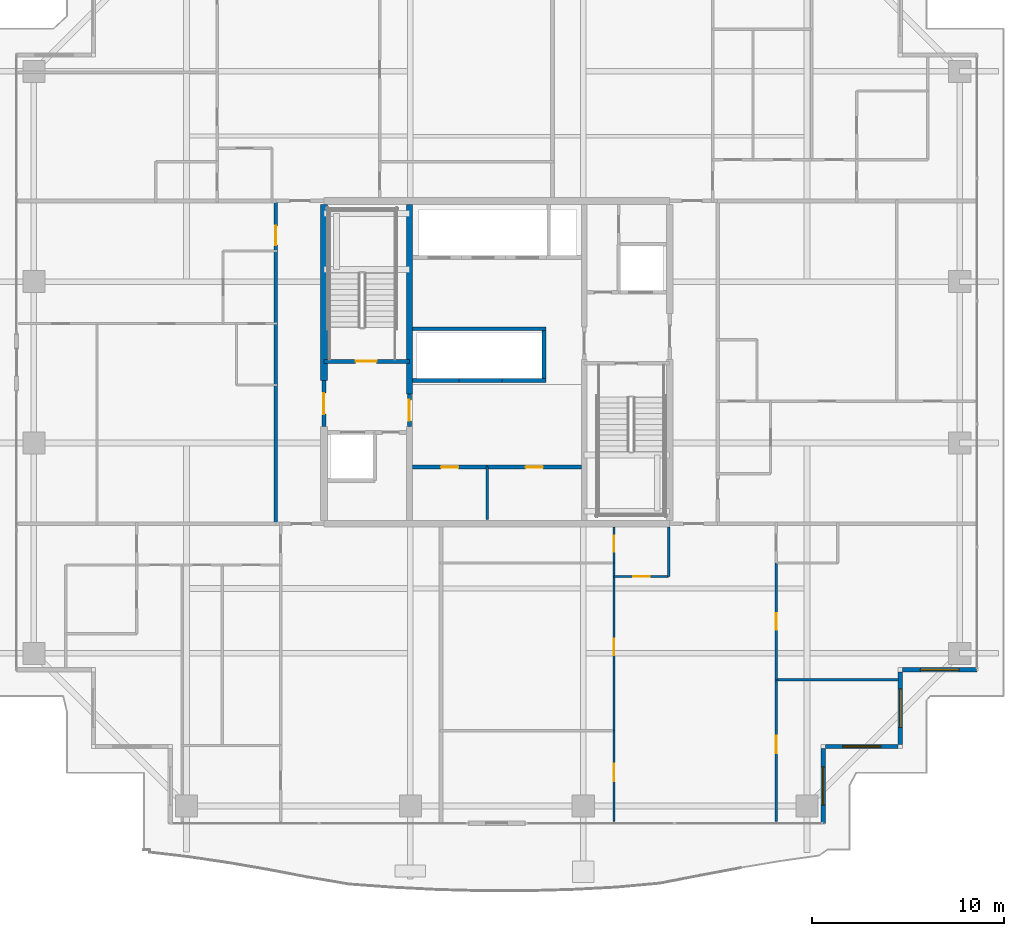
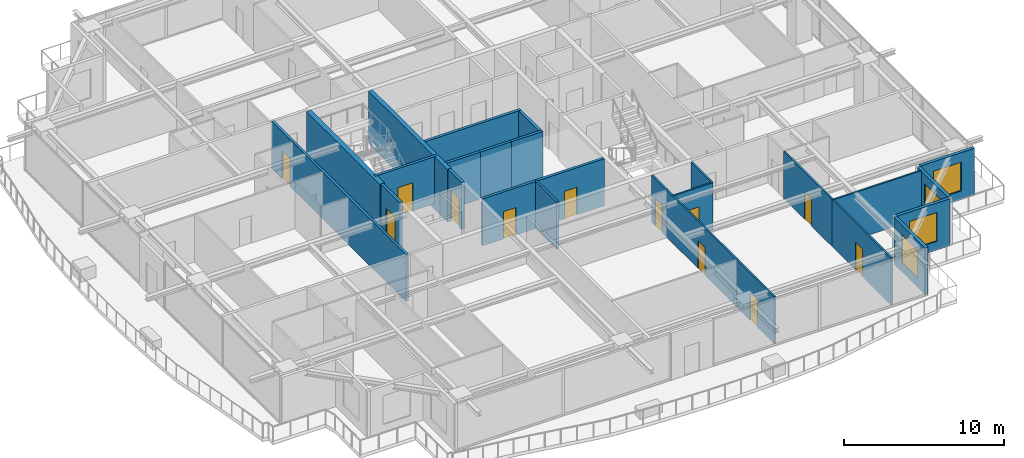
# One storey, part 25 of 35: 26 walls, 12 doors, 4 windows, 16 openings.
"""IFC4 building model written with IfcOpenShell, lengths in metres."""

from ifc_helpers import new_model, si_unit, direction, frame, frame_2d, origin, place, context, subcontext, project, spatial, rectangle, extrude, source, transform, mapped, material, layer, layer_set, type_object, element, fill, save


model = new_model("IFC4")

# Units and contexts
model_context = context("Model", 3, precision=1e-05, world=origin(), true_north=direction((0.0, 1.0)))
body_context = subcontext(model_context, "Body", "Model", "MODEL_VIEW")
ifc_project = project(units=[si_unit("LENGTHUNIT", "METRE"), si_unit("AREAUNIT", "SQUARE_METRE"), si_unit("VOLUMEUNIT", "CUBIC_METRE"), si_unit("PLANEANGLEUNIT", "RADIAN"), si_unit("MASSUNIT", "GRAM", prefix="KILO")], contexts=[model_context])

# Site, building, storey
site_placement = place(None, origin())
site = spatial("IfcSite", under=ifc_project, at=site_placement, CompositionType="ELEMENT")
building_placement = place(site_placement, origin())
building = spatial("IfcBuilding", under=site, at=building_placement, Name="Serunith Strait Residences", CompositionType="ELEMENT")
storey_placement = place(building_placement, frame((0.0, 0.0, 210.449951171875)))
storey = spatial("IfcBuildingStorey", under=building, at=storey_placement, Name="L52", CompositionType="ELEMENT", Elevation=210.449951171875)

# Wall, opening, window
ifc_material_1 = material(Name="Pale-Champagne Aluminium Insulated Panel", Category="aluminium")
ifc_layer_1 = layer(ifc_material_1, 0.219970703125, Name="Pale-Champagne Aluminium Insulated Panel")
ifc_layer_set_1 = layer_set([ifc_layer_1], Name="Pale-Champagne Aluminium Insulated Panel")
wall_type_1 = type_object("IfcWallType", Name="EW-ALUM-220", PredefinedType="ELEMENTEDWALL", material=ifc_layer_set_1)
wall_1_placement = place(storey_placement, frame((49.39990234375, 1.199951171875, 0.0), z_axis=(0.0, 0.0, 1.0), x_axis=(0.0, 1.0, 0.0)))
wall_1 = element("IfcWall", 1, at=wall_1_placement, inside=storey, type_object=wall_type_1, Name="L52 Girih Serrated Corner Wall 02", PredefinedType="ELEMENTEDWALL", context=body_context, shape_type="SweptSolid", body=[
    extrude(rectangle(XDim=3.89013671875, YDim=0.219970703125, at=frame_2d((1.945068359375, 0.0))), origin(), (0.0, 0.0, 1.0), 3.574951171875),
])
opening_1_placement = place(wall_1_placement, frame((0.945068359375, 0.0, 0.64990234375)))
opening_1 = element("IfcOpeningElement", 2, at=opening_1_placement, cuts=wall_1, Name="Opening W-04", PredefinedType="OPENING", context=body_context, shape_type="SweptSolid", body=[
    extrude(rectangle(XDim=2.0, YDim=2.199951171875, at=frame_2d((1.0, 1.10009765625))), frame((0.0, 0.1201171875, 0.0), z_axis=(0.0, -1.0, 0.0), x_axis=(1.0, 0.0, 0.0)), (0.0, 0.0, 1.0), 0.239990234375),
])
ifc_material_2 = material(Name="Ceramic-Fritted Operable Aluminium Window Glass", Category="aluminium")
window_type = type_object("IfcWindowType", Name="WIN-C4", PartitioningType="TRIPLE_PANEL_VERTICAL", PredefinedType="WINDOW", material=ifc_material_2)
shared_shape_1 = source(origin(), body_context, "Body", "SweptSolid", [
    extrude(rectangle(XDim=2.0, YDim=2.199951171875, at=frame_2d((1.0, 1.10009765625))), frame((0.0, 0.030029296875, 0.0), z_axis=(0.0, -1.0, 0.0), x_axis=(1.0, 0.0, 0.0)), (0.0, 0.0, 1.0), 0.06005859375),
])
window_1_placement = place(opening_1_placement, origin())
window_1 = element("IfcWindow", 3, at=window_1_placement, inside=storey, type_object=window_type, Name="L52 Corner Operable Fritted Window 02", OverallHeight=2.199951171875, OverallWidth=2.0, PartitioningType="SINGLE_PANEL", PredefinedType="WINDOW", context=body_context, shape_type="MappedRepresentation", body=[
    mapped(shared_shape_1, transform((0.0, 0.0, 0.0), scale=1.0)),
])
fill(opening_1, window_1)

wall_2_placement = place(storey_placement, frame((49.510009765625, 5.199951171875, 0.0), z_axis=(0.0, 0.0, 1.0), x_axis=(1.0, 0.0, 0.0)))
wall_2 = element("IfcWall", 4, at=wall_2_placement, inside=storey, type_object=wall_type_1, Name="L52 Girih Serrated Corner Wall 03", PredefinedType="ELEMENTEDWALL", context=body_context, shape_type="SweptSolid", body=[
    extrude(rectangle(XDim=3.780029296875, YDim=0.219970703125, at=frame_2d((1.89013671875, 0.0))), origin(), (0.0, 0.0, 1.0), 3.574951171875),
])
opening_2_placement = place(wall_2_placement, frame((0.889892578125, 0.0, 0.64990234375)))
opening_2 = element("IfcOpeningElement", 5, at=opening_2_placement, cuts=wall_2, Name="Opening W-04", PredefinedType="OPENING", context=body_context, shape_type="SweptSolid", body=[
    extrude(rectangle(XDim=2.0, YDim=2.199951171875, at=frame_2d((1.0, 1.10009765625))), frame((0.0, 0.1201171875, 0.0), z_axis=(0.0, -1.0, 0.0), x_axis=(1.0, 0.0, 0.0)), (0.0, 0.0, 1.0), 0.239990234375),
])
window_2_placement = place(opening_2_placement, origin())
window_2 = element("IfcWindow", 6, at=window_2_placement, inside=storey, type_object=window_type, Name="L52 Corner Operable Fritted Window 03", OverallHeight=2.199951171875, OverallWidth=2.0, PartitioningType="SINGLE_PANEL", PredefinedType="WINDOW", context=body_context, shape_type="MappedRepresentation", body=[
    mapped(shared_shape_1, transform((0.0, 0.0, 0.0), scale=1.0)),
])
fill(opening_2, window_2)

wall_3_placement = place(storey_placement, frame((53.39990234375, 5.31005859375, 0.0), z_axis=(0.0, 0.0, 1.0), x_axis=(0.0, 1.0, 0.0)))
wall_3 = element("IfcWall", 7, at=wall_3_placement, inside=storey, type_object=wall_type_1, Name="L52 Girih Serrated Corner Wall 04", PredefinedType="ELEMENTEDWALL", context=body_context, shape_type="SweptSolid", body=[
    extrude(rectangle(XDim=3.780029296875, YDim=0.219970703125, at=frame_2d((1.89013671875, 0.0))), origin(), (0.0, 0.0, 1.0), 3.574951171875),
])
opening_3_placement = place(wall_3_placement, frame((0.889892578125, 0.0, 0.64990234375)))
opening_3 = element("IfcOpeningElement", 8, at=opening_3_placement, cuts=wall_3, Name="Opening W-04", PredefinedType="OPENING", context=body_context, shape_type="SweptSolid", body=[
    extrude(rectangle(XDim=2.0, YDim=2.199951171875, at=frame_2d((1.0, 1.10009765625))), frame((0.0, 0.1201171875, 0.0), z_axis=(0.0, -1.0, 0.0), x_axis=(1.0, 0.0, 0.0)), (0.0, 0.0, 1.0), 0.239990234375),
])
window_3_placement = place(opening_3_placement, origin())
window_3 = element("IfcWindow", 9, at=window_3_placement, inside=storey, type_object=window_type, Name="L52 Corner Operable Fritted Window 04", OverallHeight=2.199951171875, OverallWidth=2.0, PartitioningType="SINGLE_PANEL", PredefinedType="WINDOW", context=body_context, shape_type="MappedRepresentation", body=[
    mapped(shared_shape_1, transform((0.0, 0.0, 0.0), scale=1.0)),
])
fill(opening_3, window_3)

wall_4_placement = place(storey_placement, frame((53.510009765625, 9.199951171875, 0.0), z_axis=(0.0, 0.0, 1.0), x_axis=(1.0, 0.0, 0.0)))
wall_4 = element("IfcWall", 10, at=wall_4_placement, inside=storey, type_object=wall_type_1, Name="L52 Girih Serrated Corner Wall 05", PredefinedType="ELEMENTEDWALL", context=body_context, shape_type="SweptSolid", body=[
    extrude(rectangle(XDim=3.889892578125, YDim=0.219970703125, at=frame_2d((1.94482421875, 0.0))), origin(), (0.0, 0.0, 1.0), 3.574951171875),
])
opening_4_placement = place(wall_4_placement, frame((0.945068359375, 0.0, 0.64990234375)))
opening_4 = element("IfcOpeningElement", 11, at=opening_4_placement, cuts=wall_4, Name="Opening W-04", PredefinedType="OPENING", context=body_context, shape_type="SweptSolid", body=[
    extrude(rectangle(XDim=2.0, YDim=2.199951171875, at=frame_2d((1.0, 1.10009765625))), frame((0.0, 0.1201171875, 0.0), z_axis=(0.0, -1.0, 0.0), x_axis=(1.0, 0.0, 0.0)), (0.0, 0.0, 1.0), 0.239990234375),
])
window_4_placement = place(opening_4_placement, origin())
window_4 = element("IfcWindow", 12, at=window_4_placement, inside=storey, type_object=window_type, Name="L52 Corner Operable Fritted Window 05", OverallHeight=2.199951171875, OverallWidth=2.0, PartitioningType="SINGLE_PANEL", PredefinedType="WINDOW", context=body_context, shape_type="MappedRepresentation", body=[
    mapped(shared_shape_1, transform((0.0, 0.0, 0.0), scale=1.0)),
])
fill(opening_4, window_4)

# Wall
ifc_material_3 = material(Name="Fire-rated masonry service closet wall", Category="masonry")
ifc_layer_2 = layer(ifc_material_3, 0.14990234375, Name="Fire-rated masonry service closet wall")
ifc_layer_set_2 = layer_set([ifc_layer_2], Name="Fire-rated masonry service closet wall")
wall_type_2 = type_object("IfcWallType", Name="IW-BOH-150", PredefinedType="PARTITIONING", material=ifc_layer_set_2)
wall_5_placement = place(storey_placement, frame((31.89990234375, 17.02001953125, 0.0), z_axis=(0.0, 0.0, 1.0), x_axis=(0.0, 1.0, 0.0)))
element("IfcWall", 13, at=wall_5_placement, inside=storey, type_object=wall_type_2, Name="L52 Partition Wall 015", PredefinedType="PARTITIONING", context=body_context, shape_type="SweptSolid", body=[
    extrude(rectangle(XDim=2.72998046875, YDim=0.14990234375, at=frame_2d((1.364990234375, 0.0))), origin(), (0.0, 0.0, 1.0), 3.590087890625),
])

# Wall, opening, door
ifc_material_4 = material(Name="Fire-rated acoustic gypsum partition")
ifc_layer_3 = layer(ifc_material_4, 0.179931640625, Name="Fire-rated acoustic gypsum partition")
ifc_layer_set_3 = layer_set([ifc_layer_3], Name="Fire-rated acoustic gypsum partition")
wall_type_3 = type_object("IfcWallType", Name="IW-CORR-180", PredefinedType="PARTITIONING", material=ifc_layer_set_3)
wall_6_placement = place(storey_placement, frame((20.89990234375, 16.800048828125, 0.0), z_axis=(0.0, 0.0, 1.0), x_axis=(0.0, 1.0, 0.0)))
wall_6 = element("IfcWall", 14, at=wall_6_placement, inside=storey, type_object=wall_type_3, Name="L52 Partition Wall 024", PredefinedType="PARTITIONING", context=body_context, shape_type="SweptSolid", body=[
    extrude(rectangle(XDim=16.800048828125, YDim=0.179931640625, at=frame_2d((8.39990234375, 0.0))), origin(), (0.0, 0.0, 1.0), 3.590087890625),
])
opening_5_placement = place(wall_6_placement, frame((14.5, 0.0, 0.0)))
opening_5 = element("IfcOpeningElement", 15, at=opening_5_placement, cuts=wall_6, Name="Opening D-APT1000", PredefinedType="OPENING", context=body_context, shape_type="SweptSolid", body=[
    extrude(rectangle(XDim=1.0, YDim=2.14990234375, at=frame_2d((0.5, 1.074951171875))), frame((0.0, 0.10009765625, 0.0), z_axis=(0.0, -1.0, 0.0), x_axis=(1.0, 0.0, 0.0)), (0.0, 0.0, 1.0), 0.199951171875),
])
ifc_material_5 = material(Name="Solid timber engineered fire door", Category="wood")
door_type_1 = type_object("IfcDoorType", Name="ID-APT-1000", OperationType="NOTDEFINED", PredefinedType="DOOR", material=ifc_material_5)
shared_shape_2 = source(origin(), body_context, "Body", "SweptSolid", [
    extrude(rectangle(XDim=1.0, YDim=2.14990234375, at=frame_2d((0.5, 1.074951171875))), frame((0.0, 0.02490234375, 0.0), z_axis=(0.0, -1.0, 0.0), x_axis=(1.0, 0.0, 0.0)), (0.0, 0.0, 1.0), 0.050048828125),
])
door_1_placement = place(opening_5_placement, origin())
door_1 = element("IfcDoor", 16, at=door_1_placement, inside=storey, type_object=door_type_1, Name="L52 Unit 05 Entrance Door", OperationType="SINGLE_SWING_LEFT", OverallHeight=2.14990234375, OverallWidth=1.0, PredefinedType="DOOR", context=body_context, shape_type="MappedRepresentation", body=[
    mapped(shared_shape_2, transform((0.0, 0.0, 0.0), scale=1.0)),
])
fill(opening_5, door_1)

ifc_material_6 = material(Name="Lightweight steel-stud gypsum partition", Category="steel")
ifc_layer_4 = layer(ifc_material_6, 0.1201171875, Name="Lightweight steel-stud gypsum partition")
ifc_layer_set_4 = layer_set([ifc_layer_4], Name="Lightweight steel-stud gypsum partition")
wall_type_4 = type_object("IfcWallType", Name="IW-PART-120", PredefinedType="PARTITIONING", material=ifc_layer_set_4)
wall_7_placement = place(storey_placement, frame((38.5, 14.050048828125, 0.0), z_axis=(0.0, 0.0, 1.0), x_axis=(1.0, 0.0, 0.0)))
wall_7 = element("IfcWall", 17, at=wall_7_placement, inside=storey, type_object=wall_type_4, Name="L52 Partition Wall 042", PredefinedType="PARTITIONING", context=body_context, shape_type="SweptSolid", body=[
    extrude(rectangle(XDim=2.85009765625, YDim=0.1201171875, at=frame_2d((1.425048828125, 0.0))), origin(), (0.0, 0.0, 1.0), 3.590087890625),
])
opening_6_placement = place(wall_7_placement, frame((1.0, 0.0, 0.0)))
opening_6 = element("IfcOpeningElement", 18, at=opening_6_placement, cuts=wall_7, Name="Opening D-RM850", PredefinedType="OPENING", context=body_context, shape_type="SweptSolid", body=[
    extrude(rectangle(XDim=0.85009765625, YDim=2.10009765625, at=frame_2d((0.425048828125, 1.050048828125))), frame((0.0, 0.070068359375, 0.0), z_axis=(0.0, -1.0, 0.0), x_axis=(1.0, 0.0, 0.0)), (0.0, 0.0, 1.0), 0.14013671875),
])
ifc_material_7 = material(Name="Engineered timber flush study and kitchen door", Category="wood")
door_type_2 = type_object("IfcDoorType", Name="ID-ROOM-850", OperationType="NOTDEFINED", PredefinedType="DOOR", material=ifc_material_7)
shared_shape_3 = source(origin(), body_context, "Body", "SweptSolid", [
    extrude(rectangle(XDim=0.85009765625, YDim=2.10009765625, at=frame_2d((0.425048828125, 1.050048828125))), frame((0.0, 0.02490234375, 0.0), z_axis=(0.0, -1.0, 0.0), x_axis=(1.0, 0.0, 0.0)), (0.0, 0.0, 1.0), 0.050048828125),
])
door_2_placement = place(opening_6_placement, origin())
door_2 = element("IfcDoor", 19, at=door_2_placement, inside=storey, type_object=door_type_2, Name="L52 Kitchen 5202 Door", OperationType="SINGLE_SWING_RIGHT", OverallHeight=2.10009765625, OverallWidth=0.85009765625, PredefinedType="DOOR", context=body_context, shape_type="MappedRepresentation", body=[
    mapped(shared_shape_3, transform((0.0, 0.0, 0.0), scale=1.0)),
])
fill(opening_6, door_2)

# Wall
wall_8_placement = place(storey_placement, frame((41.35009765625, 14.050048828125, 0.0), z_axis=(0.0, 0.0, 1.0), x_axis=(0.0, 1.0, 0.0)))
element("IfcWall", 20, at=wall_8_placement, inside=storey, type_object=wall_type_4, Name="L52 Partition Wall 043", PredefinedType="PARTITIONING", context=body_context, shape_type="SweptSolid", body=[
    extrude(rectangle(XDim=2.574951171875, YDim=0.1201171875, at=frame_2d((1.28759765625, 0.0))), origin(), (0.0, 0.0, 1.0), 3.590087890625),
])

# Wall, opening, door
wall_9_placement = place(storey_placement, frame((38.5, 1.294921875, 0.0), z_axis=(0.0, 0.0, 1.0), x_axis=(0.0, 1.0, 0.0)))
wall_9 = element("IfcWall", 21, at=wall_9_placement, inside=storey, type_object=wall_type_4, Name="L52 Partition Wall 044", PredefinedType="PARTITIONING", context=body_context, shape_type="SweptSolid", body=[
    extrude(rectangle(XDim=4.72705078125, YDim=0.1201171875, at=frame_2d((2.363525390625, 0.0))), origin(), (0.0, 0.0, 1.0), 3.590087890625),
])
opening_7_placement = place(wall_9_placement, frame((2.10498046875, 0.0, 0.0)))
opening_7 = element("IfcOpeningElement", 22, at=opening_7_placement, cuts=wall_9, Name="Opening D-RM900", PredefinedType="OPENING", context=body_context, shape_type="SweptSolid", body=[
    extrude(rectangle(XDim=0.89990234375, YDim=2.10009765625, at=frame_2d((0.449951171875, 1.050048828125))), frame((0.0, 0.070068359375, 0.0), z_axis=(0.0, -1.0, 0.0), x_axis=(1.0, 0.0, 0.0)), (0.0, 0.0, 1.0), 0.14013671875),
])
ifc_material_8 = material(Name="Engineered timber flush bedroom door", Category="wood")
door_type_3 = type_object("IfcDoorType", Name="ID-ROOM-900", OperationType="NOTDEFINED", PredefinedType="DOOR", material=ifc_material_8)
shared_shape_4 = source(origin(), body_context, "Body", "SweptSolid", [
    extrude(rectangle(XDim=0.89990234375, YDim=2.10009765625, at=frame_2d((0.449951171875, 1.050048828125))), frame((0.0, 0.02490234375, 0.0), z_axis=(0.0, -1.0, 0.0), x_axis=(1.0, 0.0, 0.0)), (0.0, 0.0, 1.0), 0.050048828125),
])
door_3_placement = place(opening_7_placement, origin())
door_3 = element("IfcDoor", 23, at=door_3_placement, inside=storey, type_object=door_type_3, Name="L52 Master Bedroom 1 5202 Door", OperationType="SINGLE_SWING_LEFT", OverallHeight=2.10009765625, OverallWidth=0.89990234375, PredefinedType="DOOR", context=body_context, shape_type="MappedRepresentation", body=[
    mapped(shared_shape_4, transform((0.0, 0.0, 0.0), scale=1.0)),
])
fill(opening_7, door_3)

wall_10_placement = place(storey_placement, frame((38.5, 6.02392578125, 0.0), z_axis=(0.0, 0.0, 1.0), x_axis=(0.0, 1.0, 0.0)))
wall_10 = element("IfcWall", 24, at=wall_10_placement, inside=storey, type_object=wall_type_4, Name="L52 Partition Wall 047", PredefinedType="PARTITIONING", context=body_context, shape_type="SweptSolid", body=[
    extrude(rectangle(XDim=8.72607421875, YDim=0.1201171875, at=frame_2d((4.363037109375, 0.0))), origin(), (0.0, 0.0, 1.0), 3.590087890625),
])
opening_8_placement = place(wall_10_placement, frame((3.93798828125, 0.0, 0.0)))
opening_8 = element("IfcOpeningElement", 25, at=opening_8_placement, cuts=wall_10, Name="Opening D-RM850", PredefinedType="OPENING", context=body_context, shape_type="SweptSolid", body=[
    extrude(rectangle(XDim=0.85009765625, YDim=2.10009765625, at=frame_2d((0.425048828125, 1.050048828125))), frame((0.0, 0.070068359375, 0.0), z_axis=(0.0, -1.0, 0.0), x_axis=(1.0, 0.0, 0.0)), (0.0, 0.0, 1.0), 0.14013671875),
])
door_4_placement = place(opening_8_placement, origin())
door_4 = element("IfcDoor", 26, at=door_4_placement, inside=storey, type_object=door_type_2, Name="L52 Walk-in Wardrobe 5202 Door", OperationType="SINGLE_SWING_RIGHT", OverallHeight=2.10009765625, OverallWidth=0.85009765625, PredefinedType="DOOR", context=body_context, shape_type="MappedRepresentation", body=[
    mapped(shared_shape_3, transform((0.0, 0.0, 0.0), scale=1.0)),
])
fill(opening_8, door_4)

wall_11_placement = place(storey_placement, frame((38.5, 14.751953125, 0.0), z_axis=(0.0, 0.0, 1.0), x_axis=(0.0, 1.0, 0.0)))
wall_11 = element("IfcWall", 27, at=wall_11_placement, inside=storey, type_object=wall_type_4, Name="L52 Partition Wall 048", PredefinedType="PARTITIONING", context=body_context, shape_type="SweptSolid", body=[
    extrude(rectangle(XDim=1.873046875, YDim=0.1201171875, at=frame_2d((0.9365234375, 0.0))), origin(), (0.0, 0.0, 1.0), 3.590087890625),
])
opening_9_placement = place(wall_11_placement, frame((0.574951171875, 0.0, 0.0)))
opening_9 = element("IfcOpeningElement", 28, at=opening_9_placement, cuts=wall_11, Name="Opening D-BTH850", PredefinedType="OPENING", context=body_context, shape_type="SweptSolid", body=[
    extrude(rectangle(XDim=0.85009765625, YDim=2.10009765625, at=frame_2d((0.425048828125, 1.050048828125))), frame((0.0, 0.070068359375, 0.0), z_axis=(0.0, -1.0, 0.0), x_axis=(1.0, 0.0, 0.0)), (0.0, 0.0, 1.0), 0.14013671875),
])
ifc_material_9 = material(Name="Moisture-resistant timber bathroom door", Category="wood")
door_type_4 = type_object("IfcDoorType", Name="ID-BATH-850", OperationType="NOTDEFINED", PredefinedType="DOOR", material=ifc_material_9)
door_5_placement = place(opening_9_placement, origin())
door_5 = element("IfcDoor", 29, at=door_5_placement, inside=storey, type_object=door_type_4, Name="L52 Bathroom 5202 Door", OperationType="SINGLE_SWING_LEFT", OverallHeight=2.10009765625, OverallWidth=0.85009765625, PredefinedType="DOOR", context=body_context, shape_type="MappedRepresentation", body=[
    mapped(shared_shape_3, transform((0.0, 0.0, 0.0), scale=1.0)),
])
fill(opening_9, door_5)

wall_12_placement = place(storey_placement, frame((46.949951171875, 1.294921875, 0.0), z_axis=(0.0, 0.0, 1.0), x_axis=(0.0, 1.0, 0.0)))
wall_12 = element("IfcWall", 30, at=wall_12_placement, inside=storey, type_object=wall_type_4, Name="L52 Partition Wall 049", PredefinedType="PARTITIONING", context=body_context, shape_type="SweptSolid", body=[
    extrude(rectangle(XDim=7.373046875, YDim=0.1201171875, at=frame_2d((3.6865234375, 0.0))), origin(), (0.0, 0.0, 1.0), 3.590087890625),
])
opening_10_placement = place(wall_12_placement, frame((3.56005859375, 0.0, 0.0)))
opening_10 = element("IfcOpeningElement", 31, at=opening_10_placement, cuts=wall_12, Name="Opening D-RM900", PredefinedType="OPENING", context=body_context, shape_type="SweptSolid", body=[
    extrude(rectangle(XDim=0.89990234375, YDim=2.10009765625, at=frame_2d((0.449951171875, 1.050048828125))), frame((0.0, 0.070068359375, 0.0), z_axis=(0.0, -1.0, 0.0), x_axis=(1.0, 0.0, 0.0)), (0.0, 0.0, 1.0), 0.14013671875),
])
door_6_placement = place(opening_10_placement, origin())
door_6 = element("IfcDoor", 32, at=door_6_placement, inside=storey, type_object=door_type_3, Name="L52 Bedroom 2 5202 Door", OperationType="SINGLE_SWING_RIGHT", OverallHeight=2.10009765625, OverallWidth=0.89990234375, PredefinedType="DOOR", context=body_context, shape_type="MappedRepresentation", body=[
    mapped(shared_shape_4, transform((0.0, 0.0, 0.0), scale=1.0)),
])
fill(opening_10, door_6)

# Wall
wall_13_placement = place(storey_placement, frame((46.949951171875, 8.66796875, 0.0), z_axis=(0.0, 0.0, 1.0), x_axis=(1.0, 0.0, 0.0)))
element("IfcWall", 33, at=wall_13_placement, inside=storey, type_object=wall_type_4, Name="L52 Partition Wall 050", PredefinedType="PARTITIONING", context=body_context, shape_type="SweptSolid", body=[
    extrude(rectangle(XDim=6.35498046875, YDim=0.1201171875, at=frame_2d((3.177490234375, 0.0))), origin(), (0.0, 0.0, 1.0), 3.590087890625),
])

# Wall, opening, door
wall_14_placement = place(storey_placement, frame((46.949951171875, 8.669921875, 0.0), z_axis=(0.0, 0.0, 1.0), x_axis=(0.0, 1.0, 0.0)))
wall_14 = element("IfcWall", 34, at=wall_14_placement, inside=storey, type_object=wall_type_4, Name="L52 Partition Wall 053", PredefinedType="PARTITIONING", context=body_context, shape_type="SweptSolid", body=[
    extrude(rectangle(XDim=6.080078125, YDim=0.1201171875, at=frame_2d((3.0400390625, 0.0))), origin(), (0.0, 0.0, 1.0), 3.590087890625),
])
opening_11_placement = place(wall_14_placement, frame((2.614990234375, 0.0, 0.0)))
opening_11 = element("IfcOpeningElement", 35, at=opening_11_placement, cuts=wall_14, Name="Opening D-RM850", PredefinedType="OPENING", context=body_context, shape_type="SweptSolid", body=[
    extrude(rectangle(XDim=0.85009765625, YDim=2.10009765625, at=frame_2d((0.425048828125, 1.050048828125))), frame((0.0, 0.070068359375, 0.0), z_axis=(0.0, -1.0, 0.0), x_axis=(1.0, 0.0, 0.0)), (0.0, 0.0, 1.0), 0.14013671875),
])
door_7_placement = place(opening_11_placement, origin())
door_7 = element("IfcDoor", 36, at=door_7_placement, inside=storey, type_object=door_type_2, Name="L52 Walk-in Wardrobe 5202 Door", OperationType="SINGLE_SWING_LEFT", OverallHeight=2.10009765625, OverallWidth=0.85009765625, PredefinedType="DOOR", context=body_context, shape_type="MappedRepresentation", body=[
    mapped(shared_shape_3, transform((0.0, 0.0, 0.0), scale=1.0)),
])
fill(opening_11, door_7)

ifc_material_10 = material(Name="Autoclaved aerated concrete blockwork", Category="masonry")
ifc_layer_5 = layer(ifc_material_10, 0.199951171875, Name="Autoclaved aerated concrete blockwork")
ifc_layer_set_5 = layer_set([ifc_layer_5], Name="Autoclaved aerated concrete blockwork")
wall_type_5 = type_object("IfcWallType", Name="IW-SHAFT-200", PredefinedType="STANDARD", material=ifc_layer_set_5)
wall_15_placement = place(storey_placement, frame((23.39990234375, 25.25, 0.0), z_axis=(0.0, 0.0, 1.0), x_axis=(1.0, 0.0, 0.0)))
wall_15 = element("IfcWall", 37, at=wall_15_placement, inside=storey, type_object=wall_type_5, Name="L52 ST-1 South Shaft Wall", PredefinedType="STANDARD", context=body_context, shape_type="SweptSolid", body=[
    extrude(rectangle(XDim=4.4501953125, YDim=0.199951171875, at=frame_2d((2.22509765625, 0.0))), origin(), (0.0, 0.0, 1.0), 3.590087890625),
])
opening_12_placement = place(wall_15_placement, frame((1.64990234375, 0.0, 0.0)))
opening_12 = element("IfcOpeningElement", 38, at=opening_12_placement, cuts=wall_15, Name="Opening FD-1100", PredefinedType="OPENING", context=body_context, shape_type="SweptSolid", body=[
    extrude(rectangle(XDim=1.10009765625, YDim=2.14990234375, at=frame_2d((0.550048828125, 1.074951171875))), frame((0.0, 0.10986328125, 0.0), z_axis=(0.0, -1.0, 0.0), x_axis=(1.0, 0.0, 0.0)), (0.0, 0.0, 1.0), 0.219970703125),
])
ifc_material_11 = material(Name="Galvanised steel fire door leaf", Category="steel")
door_type_5 = type_object("IfcDoorType", Name="FD-STAIR-1100", OperationType="NOTDEFINED", PredefinedType="DOOR", material=ifc_material_11)
shared_shape_5 = source(origin(), body_context, "Body", "SweptSolid", [
    extrude(rectangle(XDim=1.10009765625, YDim=2.14990234375, at=frame_2d((0.550048828125, 1.074951171875))), frame((0.0, 0.02490234375, 0.0), z_axis=(0.0, -1.0, 0.0), x_axis=(1.0, 0.0, 0.0)), (0.0, 0.0, 1.0), 0.050048828125),
])
door_8_placement = place(opening_12_placement, origin())
door_8 = element("IfcDoor", 39, at=door_8_placement, inside=storey, type_object=door_type_5, Name="L52 ST-1 Escape Stair Door", OperationType="SINGLE_SWING_RIGHT", OverallHeight=2.14990234375, OverallWidth=1.10009765625, PredefinedType="DOOR", context=body_context, shape_type="MappedRepresentation", body=[
    mapped(shared_shape_5, transform((0.0, 0.0, 0.0), scale=1.0)),
])
fill(opening_12, door_8)

# Walls
wall_16_placement = place(storey_placement, frame((28.0, 24.25, 0.0), z_axis=(0.0, 0.0, 1.0), x_axis=(1.0, 0.0, 0.0)))
element("IfcWall", 40, at=wall_16_placement, inside=storey, type_object=wall_type_5, Name="L52 PL-4 South Shaft Wall", PredefinedType="STANDARD", context=body_context, shape_type="SweptSolid", body=[
    extrude(rectangle(XDim=2.425048828125, YDim=0.199951171875, at=frame_2d((1.21240234375, 0.0))), origin(), (0.0, 0.0, 1.0), 3.590087890625),
])
wall_17_placement = place(storey_placement, frame((30.425048828125, 24.25, 0.0), z_axis=(0.0, 0.0, 1.0), x_axis=(1.0, 0.0, 0.0)))
element("IfcWall", 41, at=wall_17_placement, inside=storey, type_object=wall_type_5, Name="L52 PL-5 South Shaft Wall", PredefinedType="STANDARD", context=body_context, shape_type="SweptSolid", body=[
    extrude(rectangle(XDim=2.25, YDim=0.199951171875, at=frame_2d((1.125, 0.0))), origin(), (0.0, 0.0, 1.0), 3.590087890625),
])
wall_18_placement = place(storey_placement, frame((32.675048828125, 24.25, 0.0), z_axis=(0.0, 0.0, 1.0), x_axis=(1.0, 0.0, 0.0)))
element("IfcWall", 42, at=wall_18_placement, inside=storey, type_object=wall_type_5, Name="L52 PL-6 South Shaft Wall", PredefinedType="STANDARD", context=body_context, shape_type="SweptSolid", body=[
    extrude(rectangle(XDim=2.27490234375, YDim=0.199951171875, at=frame_2d((1.137451171875, 0.0))), origin(), (0.0, 0.0, 1.0), 3.590087890625),
])
wall_19_placement = place(storey_placement, frame((34.85009765625, 24.35009765625, 0.0), z_axis=(0.0, 0.0, 1.0), x_axis=(0.0, 1.0, 0.0)))
element("IfcWall", 43, at=wall_19_placement, inside=storey, type_object=wall_type_5, Name="L52 PL-6 East Shaft Wall", PredefinedType="STANDARD", context=body_context, shape_type="SweptSolid", body=[
    extrude(rectangle(XDim=2.5, YDim=0.199951171875, at=frame_2d((1.25, 0.0))), origin(), (0.0, 0.0, 1.0), 3.590087890625),
])

# Wall, opening, door
wall_20_placement = place(storey_placement, frame((23.39990234375, 21.85205078125, 0.0), z_axis=(0.0, 0.0, 1.0), x_axis=(0.0, 1.0, 0.0)))
wall_20 = element("IfcWall", 44, at=wall_20_placement, inside=storey, type_object=wall_type_5, Name="L52 Partition Wall 007", PredefinedType="STANDARD", context=body_context, shape_type="SweptSolid", body=[
    extrude(rectangle(XDim=2.39599609375, YDim=0.199951171875, at=frame_2d((1.197998046875, 0.0))), origin(), (0.0, 0.0, 1.0), 3.590087890625),
])
opening_13_placement = place(wall_20_placement, frame((0.64794921875, 0.0, 0.0)))
opening_13 = element("IfcOpeningElement", 45, at=opening_13_placement, cuts=wall_20, Name="Opening FD-FFL", PredefinedType="OPENING", context=body_context, shape_type="SweptSolid", body=[
    extrude(rectangle(XDim=1.10009765625, YDim=2.14990234375, at=frame_2d((0.550048828125, 1.074951171875))), frame((0.0, 0.10986328125, 0.0), z_axis=(0.0, -1.0, 0.0), x_axis=(1.0, 0.0, 0.0)), (0.0, 0.0, 1.0), 0.219970703125),
])
ifc_material_12 = material(Name="Glazed steel smoke-lobby fire door", Category="steel")
door_type_6 = type_object("IfcDoorType", Name="FD-FFL-1100", OperationType="NOTDEFINED", PredefinedType="DOOR", material=ifc_material_12)
door_9_placement = place(opening_13_placement, origin())
door_9 = element("IfcDoor", 46, at=door_9_placement, inside=storey, type_object=door_type_6, Name="L52 FFL-1 Corridor Fire Door", OperationType="SINGLE_SWING_RIGHT", OverallHeight=2.14990234375, OverallWidth=1.10009765625, PredefinedType="DOOR", context=body_context, shape_type="MappedRepresentation", body=[
    mapped(shared_shape_5, transform((0.0, 0.0, 0.0), scale=1.0)),
])
fill(opening_13, door_9)

wall_21_placement = place(storey_placement, frame((27.85009765625, 21.85205078125, 0.0), z_axis=(0.0, 0.0, 1.0), x_axis=(0.0, 1.0, 0.0)))
wall_21 = element("IfcWall", 47, at=wall_21_placement, inside=storey, type_object=wall_type_5, Name="L52 Partition Wall 009", PredefinedType="STANDARD", context=body_context, shape_type="SweptSolid", body=[
    extrude(rectangle(XDim=1.696044921875, YDim=0.199951171875, at=frame_2d((0.84814453125, 0.0))), origin(), (0.0, 0.0, 1.0), 3.590087890625),
])
opening_14_placement = place(wall_21_placement, frame((0.298095703125, 0.0, 0.0)))
opening_14 = element("IfcOpeningElement", 48, at=opening_14_placement, cuts=wall_21, Name="Opening FD-FFL", PredefinedType="OPENING", context=body_context, shape_type="SweptSolid", body=[
    extrude(rectangle(XDim=1.10009765625, YDim=2.14990234375, at=frame_2d((0.550048828125, 1.074951171875))), frame((0.0, 0.10986328125, 0.0), z_axis=(0.0, -1.0, 0.0), x_axis=(1.0, 0.0, 0.0)), (0.0, 0.0, 1.0), 0.219970703125),
])
door_10_placement = place(opening_14_placement, origin())
door_10 = element("IfcDoor", 49, at=door_10_placement, inside=storey, type_object=door_type_6, Name="L52 FFL-1 Lift Lobby Door", OperationType="SINGLE_SWING_RIGHT", OverallHeight=2.14990234375, OverallWidth=1.10009765625, PredefinedType="DOOR", context=body_context, shape_type="MappedRepresentation", body=[
    mapped(shared_shape_5, transform((0.0, 0.0, 0.0), scale=1.0)),
])
fill(opening_14, door_10)

# Wall
wall_22_placement = place(storey_placement, frame((28.0, 26.949951171875, 0.0), z_axis=(0.0, 0.0, 1.0), x_axis=(1.0, 0.0, 0.0)))
element("IfcWall", 50, at=wall_22_placement, inside=storey, type_object=wall_type_5, Name="L52 Partition Wall 011", PredefinedType="STANDARD", context=body_context, shape_type="SweptSolid", body=[
    extrude(rectangle(XDim=6.949951171875, YDim=0.199951171875, at=frame_2d((3.47509765625, 0.0))), origin(), (0.0, 0.0, 1.0), 3.590087890625),
])

# Wall, opening, door
wall_23_placement = place(storey_placement, frame((28.0, 19.75, 0.0), z_axis=(0.0, 0.0, 1.0), x_axis=(1.0, 0.0, 0.0)))
wall_23 = element("IfcWall", 51, at=wall_23_placement, inside=storey, type_object=wall_type_5, Name="L52 Partition Wall 013", PredefinedType="STANDARD", context=body_context, shape_type="SweptSolid", body=[
    extrude(rectangle(XDim=3.89990234375, YDim=0.199951171875, at=frame_2d((1.949951171875, 0.0))), origin(), (0.0, 0.0, 1.0), 3.590087890625),
])
opening_15_placement = place(wall_23_placement, frame((1.5, 0.0, 0.0)))
opening_15 = element("IfcOpeningElement", 52, at=opening_15_placement, cuts=wall_23, Name="Opening FD-900", PredefinedType="OPENING", context=body_context, shape_type="SweptSolid", body=[
    extrude(rectangle(XDim=0.89990234375, YDim=2.10009765625, at=frame_2d((0.449951171875, 1.050048828125))), frame((0.0, 0.10986328125, 0.0), z_axis=(0.0, -1.0, 0.0), x_axis=(1.0, 0.0, 0.0)), (0.0, 0.0, 1.0), 0.219970703125),
])
ifc_material_13 = material(Name="Powder-coated steel riser door", Category="steel")
door_type_7 = type_object("IfcDoorType", Name="FD-BOH-900", OperationType="NOTDEFINED", PredefinedType="DOOR", material=ifc_material_13)
door_11_placement = place(opening_15_placement, origin())
door_11 = element("IfcDoor", 53, at=door_11_placement, inside=storey, type_object=door_type_7, Name="L52 Housekeeping Store Door", OperationType="SINGLE_SWING_LEFT", OverallHeight=2.10009765625, OverallWidth=0.89990234375, PredefinedType="DOOR", context=body_context, shape_type="MappedRepresentation", body=[
    mapped(shared_shape_4, transform((0.0, 0.0, 0.0), scale=1.0)),
])
fill(opening_15, door_11)

wall_24_placement = place(storey_placement, frame((31.902099609375, 19.75, 0.0), z_axis=(0.0, 0.0, 1.0), x_axis=(1.0, 0.0, 0.0)))
wall_24 = element("IfcWall", 54, at=wall_24_placement, inside=storey, type_object=wall_type_5, Name="L52 Partition Wall 014", PredefinedType="STANDARD", context=body_context, shape_type="SweptSolid", body=[
    extrude(rectangle(XDim=4.89794921875, YDim=0.199951171875, at=frame_2d((2.448974609375, 0.0))), origin(), (0.0, 0.0, 1.0), 3.590087890625),
])
opening_16_placement = place(wall_24_placement, frame((1.9990234375, 0.0, 0.0)))
opening_16 = element("IfcOpeningElement", 55, at=opening_16_placement, cuts=wall_24, Name="Opening FD-900", PredefinedType="OPENING", context=body_context, shape_type="SweptSolid", body=[
    extrude(rectangle(XDim=0.89990234375, YDim=2.10009765625, at=frame_2d((0.449951171875, 1.050048828125))), frame((0.0, 0.10986328125, 0.0), z_axis=(0.0, -1.0, 0.0), x_axis=(1.0, 0.0, 0.0)), (0.0, 0.0, 1.0), 0.219970703125),
])
door_12_placement = place(opening_16_placement, origin())
door_12 = element("IfcDoor", 56, at=door_12_placement, inside=storey, type_object=door_type_7, Name="L52 High-Rise Meter Door", OperationType="SINGLE_SWING_RIGHT", OverallHeight=2.10009765625, OverallWidth=0.89990234375, PredefinedType="DOOR", context=body_context, shape_type="MappedRepresentation", body=[
    mapped(shared_shape_4, transform((0.0, 0.0, 0.0), scale=1.0)),
])
fill(opening_16, door_12)

# Walls
ifc_material_14 = material(Name="Concrete C60/75", Category="concrete")
ifc_layer_6 = layer(ifc_material_14, 0.300048828125, Name="Concrete C60/75")
ifc_layer_set_6 = layer_set([ifc_layer_6], Name="Concrete C60/75")
wall_type_6 = type_object("IfcWallType", Name="SW-300-C60", PredefinedType="SHEAR", material=ifc_layer_set_6)
wall_25_placement = place(storey_placement, frame((27.85009765625, 23.550048828125, -0.43994140625), z_axis=(0.0, 0.0, 1.0), x_axis=(0.0, 1.0, 0.0)))
element("IfcWall", 57, at=wall_25_placement, inside=storey, type_object=wall_type_6, Name="L52 Core Internal West Web North Pier", PredefinedType="SHEAR", context=body_context, shape_type="SweptSolid", body=[
    extrude(rectangle(XDim=9.875, YDim=0.300048828125, at=frame_2d((4.9375, 0.0))), origin(), (0.0, 0.0, 1.0), 4.028076171875),
])
ifc_layer_7 = layer(ifc_material_14, 0.35009765625, Name="Concrete C60/75")
ifc_layer_set_7 = layer_set([ifc_layer_7], Name="Concrete C60/75")
wall_type_7 = type_object("IfcWallType", Name="SW-350-C60", PredefinedType="SHEAR", material=ifc_layer_set_7)
wall_26_placement = place(storey_placement, frame((23.39990234375, 24.25, -0.43994140625), z_axis=(0.0, 0.0, 1.0), x_axis=(0.0, 1.0, 0.0)))
element("IfcWall", 58, at=wall_26_placement, inside=storey, type_object=wall_type_7, Name="L52 Core West Shear Wall North Pier", PredefinedType="SHEAR", context=body_context, shape_type="SweptSolid", body=[
    extrude(rectangle(XDim=9.175048828125, YDim=0.35009765625, at=frame_2d((4.58740234375, 0.0))), origin(), (0.0, 0.0, 1.0), 4.028076171875),
])

save(model, "model.ifc")
